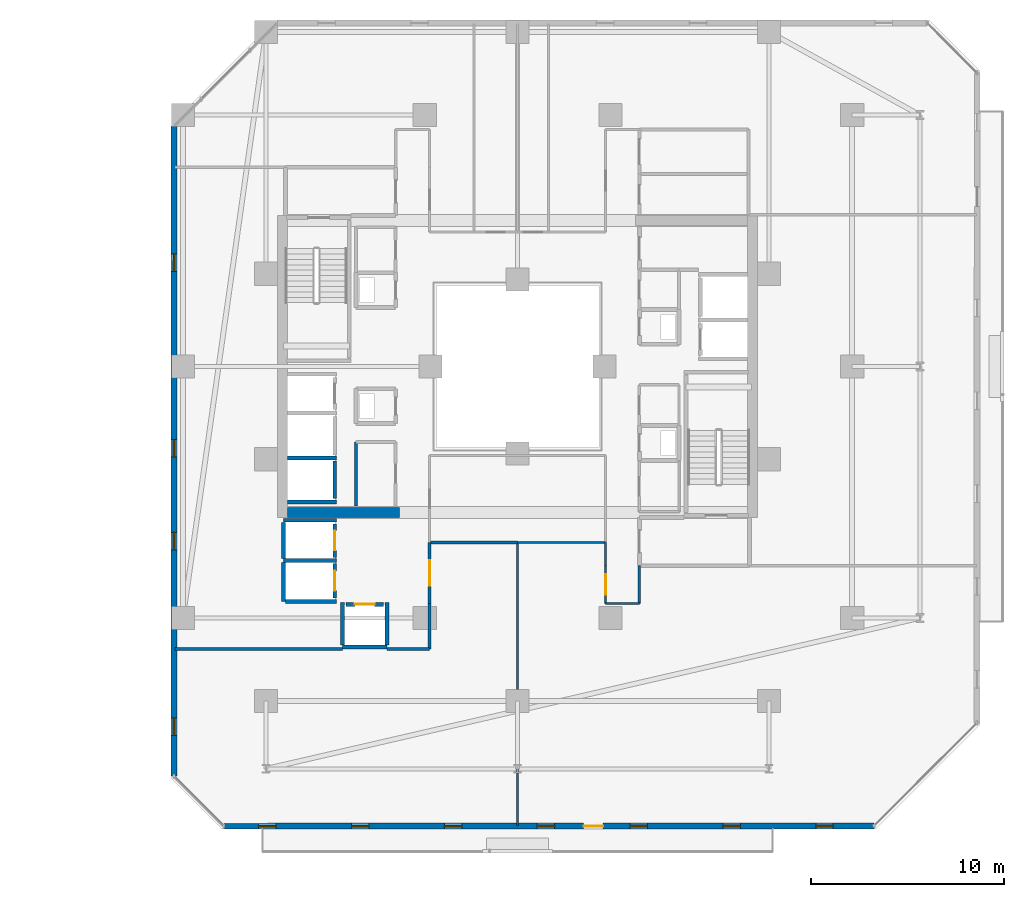
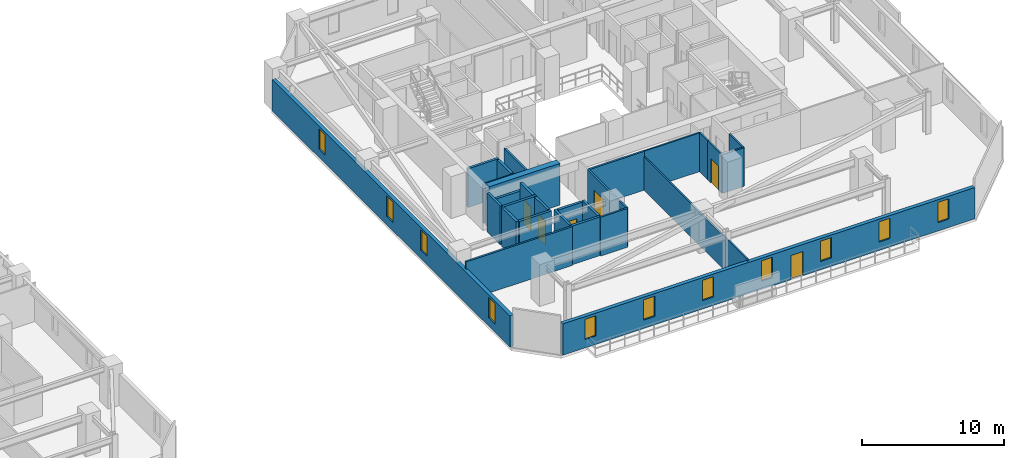
# One storey, part 22 of 33: 29 walls, 11 windows, 6 doors, 17 openings.
"""IFC4 building model written with IfcOpenShell, lengths in metres."""

from ifc_helpers import new_model, si_unit, direction, frame, frame_2d, origin, place, context, subcontext, project, spatial, rectangle, extrude, material, layer, layer_set, type_object, element, fill, save


model = new_model("IFC4")

# Units and contexts
model_context = context("Model", 3, precision=1e-05, world=origin(), true_north=direction((0.0, 1.0)))
body_context = subcontext(model_context, "Body", "Model", "MODEL_VIEW")
ifc_project = project(units=[si_unit("LENGTHUNIT", "METRE"), si_unit("AREAUNIT", "SQUARE_METRE"), si_unit("VOLUMEUNIT", "CUBIC_METRE"), si_unit("PLANEANGLEUNIT", "RADIAN"), si_unit("MASSUNIT", "GRAM", prefix="KILO")], contexts=[model_context])

# Site, building, storey
site_placement = place(None, origin())
site = spatial("IfcSite", under=ifc_project, at=site_placement, CompositionType="ELEMENT")
building_placement = place(site_placement, origin())
building = spatial("IfcBuilding", under=site, at=building_placement, Name="Thornwick Lancets Civic Towers", CompositionType="ELEMENT")
storey_placement = place(building_placement, frame((0.0, 0.0, 130.5)))
storey = spatial("IfcBuildingStorey", under=building, at=storey_placement, Name="L34", CompositionType="ELEMENT", Elevation=130.5)

# Wall
ifc_material_1 = material(Name="Concrete blockwork C40/50", Category="masonry")
ifc_layer_1 = layer(ifc_material_1, 0.199951171875, Name="Concrete blockwork C40/50")
ifc_layer_set_1 = layer_set([ifc_layer_1], Name="Concrete blockwork C40/50")
wall_type_1 = type_object("IfcWallType", Name="WALL_COMP_200", PredefinedType="STANDARD", material=ifc_layer_set_1)
wall_1_placement = place(storey_placement, frame((79.050048828125, 20.179931640625, 0.0), z_axis=(0.0, 0.0, 1.0), x_axis=(0.0, 1.0, 0.0)))
element("IfcWall", 1, at=wall_1_placement, inside=storey, type_object=wall_type_1, Name="L34 Hoistway Front Wall PL-BH3", PredefinedType="STANDARD", context=body_context, shape_type="SweptSolid", body=[
    extrude(rectangle(XDim=1.940185546875, YDim=0.199951171875, at=frame_2d((0.97021484375, 0.0))), origin(), (0.0, 0.0, 1.0), 3.340087890625),
])

# Wall, opening, door
wall_2_placement = place(storey_placement, frame((79.050048828125, 17.1298828125, 0.0), z_axis=(0.0, 0.0, 1.0), x_axis=(0.0, 1.0, 0.0)))
wall_2 = element("IfcWall", 2, at=wall_2_placement, inside=storey, type_object=wall_type_1, Name="L34 Hoistway Front Wall PL-BM1", PredefinedType="STANDARD", context=body_context, shape_type="SweptSolid", body=[
    extrude(rectangle(XDim=1.740234375, YDim=0.199951171875, at=frame_2d((0.8701171875, 0.0))), origin(), (0.0, 0.0, 1.0), 3.340087890625),
])
opening_1_placement = place(wall_2_placement, frame((0.360107421875, 0.0, 0.0)))
opening_1 = element("IfcOpeningElement", 3, at=opening_1_placement, cuts=wall_2, Name="Opening LD-PL-BM1", PredefinedType="OPENING", context=body_context, shape_type="SweptSolid", body=[
    extrude(rectangle(XDim=1.02001953125, YDim=2.06005859375, at=frame_2d((0.510009765625, 1.030029296875))), frame((0.0, 0.10986328125, 0.0), z_axis=(0.0, -1.0, 0.0), x_axis=(1.0, 0.0, 0.0)), (0.0, 0.0, 1.0), 0.219970703125),
])
ifc_material_2 = material(Name="Brushed bronze stainless steel", Category="steel")
door_type_1 = type_object("IfcDoorType", Name="DOOR_LIFT_SLIDE", OperationType="SLIDING_TO_LEFT", PredefinedType="DOOR", material=ifc_material_2)
door_1_placement = place(opening_1_placement, origin())
door_1 = element("IfcDoor", 4, at=door_1_placement, inside=storey, type_object=door_type_1, Name="L34 Sliding Lift Landing Door LD-PL-BM1", OperationType="SLIDING_TO_LEFT", OverallHeight=2.06005859375, OverallWidth=1.02001953125, PredefinedType="DOOR", context=body_context, shape_type="SweptSolid", body=[
    extrude(rectangle(XDim=1.02001953125, YDim=2.06005859375, at=frame_2d((0.510009765625, 1.030029296875))), frame((0.0, 0.02490234375, 0.0), z_axis=(0.0, -1.0, 0.0), x_axis=(1.0, 0.0, 0.0)), (0.0, 0.0, 1.0), 0.050048828125),
])
fill(opening_1, door_1)

wall_3_placement = place(storey_placement, frame((79.050048828125, 15.030029296875, 0.0), z_axis=(0.0, 0.0, 1.0), x_axis=(0.0, 1.0, 0.0)))
wall_3 = element("IfcWall", 5, at=wall_3_placement, inside=storey, type_object=wall_type_1, Name="L34 Hoistway Front Wall PL-BM2", PredefinedType="STANDARD", context=body_context, shape_type="SweptSolid", body=[
    extrude(rectangle(XDim=1.7900390625, YDim=0.199951171875, at=frame_2d((0.89501953125, 0.0))), origin(), (0.0, 0.0, 1.0), 3.340087890625),
])
opening_2_placement = place(wall_3_placement, frame((0.385009765625, 0.0, 0.0)))
opening_2 = element("IfcOpeningElement", 6, at=opening_2_placement, cuts=wall_3, Name="Opening LD-PL-BM2", PredefinedType="OPENING", context=body_context, shape_type="SweptSolid", body=[
    extrude(rectangle(XDim=1.02001953125, YDim=2.06005859375, at=frame_2d((0.510009765625, 1.030029296875))), frame((0.0, 0.10986328125, 0.0), z_axis=(0.0, -1.0, 0.0), x_axis=(1.0, 0.0, 0.0)), (0.0, 0.0, 1.0), 0.219970703125),
])
door_2_placement = place(opening_2_placement, origin())
door_2 = element("IfcDoor", 7, at=door_2_placement, inside=storey, type_object=door_type_1, Name="L34 Sliding Lift Landing Door LD-PL-BM2", OperationType="SLIDING_TO_LEFT", OverallHeight=2.06005859375, OverallWidth=1.02001953125, PredefinedType="DOOR", context=body_context, shape_type="SweptSolid", body=[
    extrude(rectangle(XDim=1.02001953125, YDim=2.06005859375, at=frame_2d((0.510009765625, 1.030029296875))), frame((0.0, 0.02490234375, 0.0), z_axis=(0.0, -1.0, 0.0), x_axis=(1.0, 0.0, 0.0)), (0.0, 0.0, 1.0), 0.050048828125),
])
fill(opening_2, door_2)

wall_4_placement = place(storey_placement, frame((79.6298828125, 14.699951171875, 0.0), z_axis=(0.0, 0.0, 1.0), x_axis=(1.0, 0.0, 0.0)))
wall_4 = element("IfcWall", 8, at=wall_4_placement, inside=storey, type_object=wall_type_1, Name="L34 Hoistway Front Wall PL-BM3", PredefinedType="STANDARD", context=body_context, shape_type="SweptSolid", body=[
    extrude(rectangle(XDim=1.940185546875, YDim=0.199951171875, at=frame_2d((0.97021484375, 0.0))), origin(), (0.0, 0.0, 1.0), 3.340087890625),
])
opening_3_placement = place(wall_4_placement, frame((0.4599609375, 0.0, 0.0)))
opening_3 = element("IfcOpeningElement", 9, at=opening_3_placement, cuts=wall_4, Name="Opening LD-PL-BM3", PredefinedType="OPENING", context=body_context, shape_type="SweptSolid", body=[
    extrude(rectangle(XDim=1.02001953125, YDim=2.06005859375, at=frame_2d((0.510009765625, 1.030029296875))), frame((0.0, 0.10986328125, 0.0), z_axis=(0.0, -1.0, 0.0), x_axis=(1.0, 0.0, 0.0)), (0.0, 0.0, 1.0), 0.219970703125),
])
door_3_placement = place(opening_3_placement, origin())
door_3 = element("IfcDoor", 10, at=door_3_placement, inside=storey, type_object=door_type_1, Name="L34 Sliding Lift Landing Door LD-PL-BM3", OperationType="SLIDING_TO_LEFT", OverallHeight=2.06005859375, OverallWidth=1.02001953125, PredefinedType="DOOR", context=body_context, shape_type="SweptSolid", body=[
    extrude(rectangle(XDim=1.02001953125, YDim=2.06005859375, at=frame_2d((0.510009765625, 1.030029296875))), frame((0.0, 0.02490234375, 0.0), z_axis=(0.0, -1.0, 0.0), x_axis=(1.0, 0.0, 0.0)), (0.0, 0.0, 1.0), 0.050048828125),
])
fill(opening_3, door_3)

# Walls
for number, where, z_axis, x_axis, name in (
    (11, (76.612060546875, 22.27490234375, 0.0), (0.0, 0.0, 1.0), (1.0, 0.0, 0.0), "L34 Hoistway Shaft Wall PL-BH2 S"),
    (12, (76.612060546875, 20.0, 0.0), (0.0, 0.0, 1.0), (1.0, 0.0, 0.0), "L34 Hoistway Shaft Wall PL-BH3 S"),
):
    element("IfcWall", number, at=place(storey_placement, frame(where, z_axis=z_axis, x_axis=x_axis)), inside=storey, type_object=wall_type_1, Name=name, PredefinedType="STANDARD", context=body_context, shape_type="SweptSolid", body=[
        extrude(rectangle(XDim=2.535888671875, YDim=0.199951171875, at=frame_2d((1.26806640625, 0.0))), origin(), (0.0, 0.0, 1.0), 3.340087890625),
    ])
wall_5_placement = place(storey_placement, frame((76.402099609375, 19.050048828125, 0.0), z_axis=(0.0, 0.0, 1.0), x_axis=(1.0, 0.0, 0.0)))
element("IfcWall", 13, at=wall_5_placement, inside=storey, type_object=wall_type_1, Name="L34 Hoistway Shaft Wall PL-BM1 N", PredefinedType="STANDARD", context=body_context, shape_type="SweptSolid", body=[
    extrude(rectangle(XDim=2.745849609375, YDim=0.199951171875, at=frame_2d((1.373046875, 0.0))), origin(), (0.0, 0.0, 1.0), 2.544921875),
])
wall_6_placement = place(storey_placement, frame((76.402099609375, 16.97509765625, 0.0), z_axis=(0.0, 0.0, 1.0), x_axis=(1.0, 0.0, 0.0)))
element("IfcWall", 14, at=wall_6_placement, inside=storey, type_object=wall_type_1, Name="L34 Hoistway Shaft Wall PL-BM1 S", PredefinedType="STANDARD", context=body_context, shape_type="SweptSolid", body=[
    extrude(rectangle(XDim=2.745849609375, YDim=0.199951171875, at=frame_2d((1.373046875, 0.0))), origin(), (0.0, 0.0, 1.0), 3.340087890625),
])
wall_7_placement = place(storey_placement, frame((76.39990234375, 14.85205078125, 0.0), z_axis=(0.0, 0.0, 1.0), x_axis=(0.0, 1.0, 0.0)))
element("IfcWall", 15, at=wall_7_placement, inside=storey, type_object=wall_type_1, Name="L34 Hoistway Shaft Wall PL-BM1 W", PredefinedType="STANDARD", context=body_context, shape_type="SweptSolid", body=[
    extrude(rectangle(XDim=2.015869140625, YDim=0.199951171875, at=frame_2d((1.0078125, 0.0))), origin(), (0.0, 0.0, 1.0), 3.340087890625),
])
wall_8_placement = place(storey_placement, frame((76.39990234375, 17.08203125, 0.0), z_axis=(0.0, 0.0, 1.0), x_axis=(0.0, 1.0, 0.0)))
element("IfcWall", 16, at=wall_8_placement, inside=storey, type_object=wall_type_1, Name="L34 Hoistway Shaft Wall PL-BM1 W", PredefinedType="STANDARD", context=body_context, shape_type="SweptSolid", body=[
    extrude(rectangle(XDim=1.85595703125, YDim=0.199951171875, at=frame_2d((0.927978515625, 0.0))), origin(), (0.0, 0.0, 1.0), 3.340087890625),
])
wall_9_placement = place(storey_placement, frame((76.511962890625, 14.85009765625, 0.0), z_axis=(0.0, 0.0, 1.0), x_axis=(1.0, 0.0, 0.0)))
element("IfcWall", 17, at=wall_9_placement, inside=storey, type_object=wall_type_1, Name="L34 Hoistway Shaft Wall PL-BM2 S", PredefinedType="STANDARD", context=body_context, shape_type="SweptSolid", body=[
    extrude(rectangle(XDim=2.635986328125, YDim=0.199951171875, at=frame_2d((1.31787109375, 0.0))), origin(), (0.0, 0.0, 1.0), 3.340087890625),
])
wall_10_placement = place(storey_placement, frame((79.451904296875, 12.5, 0.0), z_axis=(0.0, 0.0, 1.0), x_axis=(1.0, 0.0, 0.0)))
element("IfcWall", 18, at=wall_10_placement, inside=storey, type_object=wall_type_1, Name="L34 Hoistway Shaft Wall PL-BM3 S", PredefinedType="STANDARD", context=body_context, shape_type="SweptSolid", body=[
    extrude(rectangle(XDim=2.296142578125, YDim=0.199951171875, at=frame_2d((1.14794921875, 0.0))), origin(), (0.0, 0.0, 1.0), 3.340087890625),
])
for number, where, z_axis, x_axis, name in (
    (19, (81.75, 12.612060546875, 0.0), (0.0, 0.0, 1.0), (0.0, 1.0, 0.0), "L34 Hoistway Shaft Wall PL-BM3 E"),
    (20, (79.449951171875, 12.612060546875, 0.0), (0.0, 0.0, 1.0), (0.0, 1.0, 0.0), "L34 Hoistway Shaft Wall PL-BM3 W"),
):
    element("IfcWall", number, at=place(storey_placement, frame(where, z_axis=z_axis, x_axis=x_axis)), inside=storey, type_object=wall_type_1, Name=name, PredefinedType="STANDARD", context=body_context, shape_type="SweptSolid", body=[
        extrude(rectangle(XDim=2.18603515625, YDim=0.199951171875, at=frame_2d((1.093017578125, 0.0))), origin(), (0.0, 0.0, 1.0), 3.340087890625),
    ])
ifc_material_3 = material(Name="Concrete C50/60", Category="concrete")
ifc_layer_2 = layer(ifc_material_3, 0.5, Name="Concrete C50/60")
ifc_layer_set_2 = layer_set([ifc_layer_2], Name="Concrete C50/60")
wall_type_2 = type_object("IfcWallType", Name="WALL_CORE_500", PredefinedType="SHEAR", material=ifc_layer_set_2)
wall_11_placement = place(storey_placement, frame((76.60009765625, 19.449951171875, 0.0), z_axis=(0.0, 0.0, 1.0), x_axis=(1.0, 0.0, 0.0)))
element("IfcWall", 21, at=wall_11_placement, inside=storey, type_object=wall_type_2, Name="L34 Split Core B2 Shear Wall S", PredefinedType="SHEAR", context=body_context, shape_type="SweptSolid", body=[
    extrude(rectangle(XDim=5.7998046875, YDim=0.5, at=frame_2d((2.89990234375, 0.0))), origin(), (0.0, 0.0, 1.0), 3.60009765625),
])

# Wall, openings, door, windows
ifc_material_4 = material(Name="Insulated russet terracotta rainscreen on concrete C40/50", Category="masonry")
ifc_layer_3 = layer(ifc_material_4, 0.300048828125, Name="Insulated russet terracotta rainscreen on concrete C40/50")
ifc_layer_set_3 = layer_set([ifc_layer_3], Name="Insulated russet terracotta rainscreen on concrete C40/50")
wall_type_3 = type_object("IfcWallType", Name="WALL_EXT_RUSSET_300", PredefinedType="STANDARD", material=ifc_layer_set_3)
wall_12_placement = place(storey_placement, frame((73.318603515625, 3.2353515625, 0.0), z_axis=(0.0, 0.0, 1.0), x_axis=(0.999999963872, 0.000268805477, 0.0)))
wall_12 = element("IfcWall", 22, at=wall_12_placement, inside=storey, type_object=wall_type_3, Name="L34 Tower B Terracotta Facade Wall E0", PredefinedType="STANDARD", context=body_context, shape_type="SweptSolid", body=[
    extrude(rectangle(XDim=33.60498046875, YDim=0.300048828125, at=frame_2d((16.802490234375, 0.0))), origin(), (0.0, 0.0, 1.0), 2.699951171875),
])
opening_4_placement = place(wall_12_placement, frame((18.6025390625, 0.0, 0.0)))
opening_4 = element("IfcOpeningElement", 23, at=opening_4_placement, cuts=wall_12, Name="Opening D-BL-L34-BS", PredefinedType="OPENING", context=body_context, shape_type="SweptSolid", body=[
    extrude(rectangle(XDim=1.0, YDim=2.080078125, at=frame_2d((0.5, 1.0400390625))), frame((0.0, 0.16015625, 0.0), z_axis=(0.0, -1.0, 0.0), x_axis=(1.0, 0.0, 0.0)), (0.0, 0.0, 1.0), 0.320068359375),
])
opening_5_placement = place(wall_12_placement, frame((1.800048828125, 0.0, 0.719970703125)))
opening_5 = element("IfcOpeningElement", 24, at=opening_5_placement, cuts=wall_12, Name="Opening WL-01", PredefinedType="OPENING", context=body_context, shape_type="SweptSolid", body=[
    extrude(rectangle(XDim=0.89990234375, YDim=1.75, at=frame_2d((0.449951171875, 0.875))), frame((0.0, 0.16015625, 0.0), z_axis=(0.0, -1.0, 0.0), x_axis=(1.0, 0.0, 0.0)), (0.0, 0.0, 1.0), 0.320068359375),
])
opening_6_placement = place(wall_12_placement, frame((6.60009765625, 0.0, 0.719970703125)))
opening_6 = element("IfcOpeningElement", 25, at=opening_6_placement, cuts=wall_12, Name="Opening WL-01", PredefinedType="OPENING", context=body_context, shape_type="SweptSolid", body=[
    extrude(rectangle(XDim=0.89990234375, YDim=1.75, at=frame_2d((0.449951171875, 0.875))), frame((0.0, 0.16015625, 0.0), z_axis=(0.0, -1.0, 0.0), x_axis=(1.0, 0.0, 0.0)), (0.0, 0.0, 1.0), 0.320068359375),
])
opening_7_placement = place(wall_12_placement, frame((11.39990234375, 0.0, 0.719970703125)))
opening_7 = element("IfcOpeningElement", 26, at=opening_7_placement, cuts=wall_12, Name="Opening WL-01", PredefinedType="OPENING", context=body_context, shape_type="SweptSolid", body=[
    extrude(rectangle(XDim=0.89990234375, YDim=1.75, at=frame_2d((0.449951171875, 0.875))), frame((0.0, 0.16015625, 0.0), z_axis=(0.0, -1.0, 0.0), x_axis=(1.0, 0.0, 0.0)), (0.0, 0.0, 1.0), 0.320068359375),
])
opening_8_placement = place(wall_12_placement, frame((16.199951171875, 0.0, 0.719970703125)))
opening_8 = element("IfcOpeningElement", 27, at=opening_8_placement, cuts=wall_12, Name="Opening WL-01", PredefinedType="OPENING", context=body_context, shape_type="SweptSolid", body=[
    extrude(rectangle(XDim=0.89990234375, YDim=1.75, at=frame_2d((0.449951171875, 0.875))), frame((0.0, 0.16015625, 0.0), z_axis=(0.0, -1.0, 0.0), x_axis=(1.0, 0.0, 0.0)), (0.0, 0.0, 1.0), 0.320068359375),
])
opening_9_placement = place(wall_12_placement, frame((21.0, 0.0, 0.719970703125)))
opening_9 = element("IfcOpeningElement", 28, at=opening_9_placement, cuts=wall_12, Name="Opening WL-01", PredefinedType="OPENING", context=body_context, shape_type="SweptSolid", body=[
    extrude(rectangle(XDim=0.89990234375, YDim=1.75, at=frame_2d((0.449951171875, 0.875))), frame((0.0, 0.16015625, 0.0), z_axis=(0.0, -1.0, 0.0), x_axis=(1.0, 0.0, 0.0)), (0.0, 0.0, 1.0), 0.320068359375),
])
opening_10_placement = place(wall_12_placement, frame((25.800048828125, 0.0, 0.719970703125)))
opening_10 = element("IfcOpeningElement", 29, at=opening_10_placement, cuts=wall_12, Name="Opening WL-01", PredefinedType="OPENING", context=body_context, shape_type="SweptSolid", body=[
    extrude(rectangle(XDim=0.89990234375, YDim=1.75, at=frame_2d((0.449951171875, 0.875))), frame((0.0, 0.16015625, 0.0), z_axis=(0.0, -1.0, 0.0), x_axis=(1.0, 0.0, 0.0)), (0.0, 0.0, 1.0), 0.320068359375),
])
opening_11_placement = place(wall_12_placement, frame((30.60009765625, 0.0, 0.719970703125)))
opening_11 = element("IfcOpeningElement", 30, at=opening_11_placement, cuts=wall_12, Name="Opening WL-01", PredefinedType="OPENING", context=body_context, shape_type="SweptSolid", body=[
    extrude(rectangle(XDim=0.89990234375, YDim=1.75, at=frame_2d((0.449951171875, 0.875))), frame((0.0, 0.16015625, 0.0), z_axis=(0.0, -1.0, 0.0), x_axis=(1.0, 0.0, 0.0)), (0.0, 0.0, 1.0), 0.320068359375),
])
ifc_material_5 = material(Name="Thermally broken glazed loggia doorset")
door_type_2 = type_object("IfcDoorType", Name="DOOR_BALC_1000", OperationType="NOTDEFINED", PredefinedType="DOOR", material=ifc_material_5)
door_4_placement = place(opening_4_placement, origin())
door_4 = element("IfcDoor", 31, at=door_4_placement, inside=storey, type_object=door_type_2, Name="L34 Tower B Loggia Balcony Door S", OperationType="SINGLE_SWING_LEFT", OverallHeight=2.080078125, OverallWidth=1.0, PredefinedType="DOOR", context=body_context, shape_type="SweptSolid", body=[
    extrude(rectangle(XDim=1.0, YDim=2.080078125, at=frame_2d((0.5, 1.0400390625))), frame((0.0, 0.02490234375, 0.0), z_axis=(0.0, -1.0, 0.0), x_axis=(1.0, 0.0, 0.0)), (0.0, 0.0, 1.0), 0.050048828125),
])
fill(opening_4, door_4)
ifc_material_6 = material(Name="Clear low-e double glazing in bronze frame", Category="glass")
window_type = type_object("IfcWindowType", Name="WIN_LANCET_900", PartitioningType="SINGLE_PANEL", PredefinedType="WINDOW", material=ifc_material_6)
window_1_placement = place(opening_5_placement, origin())
window_1 = element("IfcWindow", 32, at=window_1_placement, inside=storey, type_object=window_type, Name="L34 Tower B Staggered Lancet Window E0-1", OverallHeight=1.75, OverallWidth=0.89990234375, PartitioningType="SINGLE_PANEL", PredefinedType="WINDOW", context=body_context, shape_type="SweptSolid", body=[
    extrude(rectangle(XDim=0.89990234375, YDim=1.75, at=frame_2d((0.449951171875, 0.875))), frame((0.0, 0.030029296875, 0.0), z_axis=(0.0, -1.0, 0.0), x_axis=(1.0, 0.0, 0.0)), (0.0, 0.0, 1.0), 0.06005859375),
])
fill(opening_5, window_1)
window_2_placement = place(opening_6_placement, origin())
window_2 = element("IfcWindow", 33, at=window_2_placement, inside=storey, type_object=window_type, Name="L34 Tower B Staggered Lancet Window E0-2", OverallHeight=1.75, OverallWidth=0.89990234375, PartitioningType="SINGLE_PANEL", PredefinedType="WINDOW", context=body_context, shape_type="SweptSolid", body=[
    extrude(rectangle(XDim=0.89990234375, YDim=1.75, at=frame_2d((0.449951171875, 0.875))), frame((0.0, 0.030029296875, 0.0), z_axis=(0.0, -1.0, 0.0), x_axis=(1.0, 0.0, 0.0)), (0.0, 0.0, 1.0), 0.06005859375),
])
fill(opening_6, window_2)
window_3_placement = place(opening_7_placement, origin())
window_3 = element("IfcWindow", 34, at=window_3_placement, inside=storey, type_object=window_type, Name="L34 Tower B Staggered Lancet Window E0-3", OverallHeight=1.75, OverallWidth=0.89990234375, PartitioningType="SINGLE_PANEL", PredefinedType="WINDOW", context=body_context, shape_type="SweptSolid", body=[
    extrude(rectangle(XDim=0.89990234375, YDim=1.75, at=frame_2d((0.449951171875, 0.875))), frame((0.0, 0.030029296875, 0.0), z_axis=(0.0, -1.0, 0.0), x_axis=(1.0, 0.0, 0.0)), (0.0, 0.0, 1.0), 0.06005859375),
])
fill(opening_7, window_3)
window_4_placement = place(opening_8_placement, origin())
window_4 = element("IfcWindow", 35, at=window_4_placement, inside=storey, type_object=window_type, Name="L34 Tower B Staggered Lancet Window E0-4", OverallHeight=1.75, OverallWidth=0.89990234375, PartitioningType="SINGLE_PANEL", PredefinedType="WINDOW", context=body_context, shape_type="SweptSolid", body=[
    extrude(rectangle(XDim=0.89990234375, YDim=1.75, at=frame_2d((0.449951171875, 0.875))), frame((0.0, 0.030029296875, 0.0), z_axis=(0.0, -1.0, 0.0), x_axis=(1.0, 0.0, 0.0)), (0.0, 0.0, 1.0), 0.06005859375),
])
fill(opening_8, window_4)
window_5_placement = place(opening_9_placement, origin())
window_5 = element("IfcWindow", 36, at=window_5_placement, inside=storey, type_object=window_type, Name="L34 Tower B Staggered Lancet Window E0-5", OverallHeight=1.75, OverallWidth=0.89990234375, PartitioningType="SINGLE_PANEL", PredefinedType="WINDOW", context=body_context, shape_type="SweptSolid", body=[
    extrude(rectangle(XDim=0.89990234375, YDim=1.75, at=frame_2d((0.449951171875, 0.875))), frame((0.0, 0.030029296875, 0.0), z_axis=(0.0, -1.0, 0.0), x_axis=(1.0, 0.0, 0.0)), (0.0, 0.0, 1.0), 0.06005859375),
])
fill(opening_9, window_5)
window_6_placement = place(opening_10_placement, origin())
window_6 = element("IfcWindow", 37, at=window_6_placement, inside=storey, type_object=window_type, Name="L34 Tower B Staggered Lancet Window E0-6", OverallHeight=1.75, OverallWidth=0.89990234375, PartitioningType="SINGLE_PANEL", PredefinedType="WINDOW", context=body_context, shape_type="SweptSolid", body=[
    extrude(rectangle(XDim=0.89990234375, YDim=1.75, at=frame_2d((0.449951171875, 0.875))), frame((0.0, 0.030029296875, 0.0), z_axis=(0.0, -1.0, 0.0), x_axis=(1.0, 0.0, 0.0)), (0.0, 0.0, 1.0), 0.06005859375),
])
fill(opening_10, window_6)
window_7_placement = place(opening_11_placement, origin())
window_7 = element("IfcWindow", 38, at=window_7_placement, inside=storey, type_object=window_type, Name="L34 Tower B Staggered Lancet Window E0-7", OverallHeight=1.75, OverallWidth=0.89990234375, PartitioningType="SINGLE_PANEL", PredefinedType="WINDOW", context=body_context, shape_type="SweptSolid", body=[
    extrude(rectangle(XDim=0.89990234375, YDim=1.75, at=frame_2d((0.449951171875, 0.875))), frame((0.0, 0.030029296875, 0.0), z_axis=(0.0, -1.0, 0.0), x_axis=(1.0, 0.0, 0.0)), (0.0, 0.0, 1.0), 0.06005859375),
])
fill(opening_11, window_7)

# Wall, openings, windows
wall_13_placement = place(storey_placement, frame((70.744384765625, 39.423583984375, 0.0), z_axis=(0.0, 0.0, 1.0), x_axis=(-0.000268805477, -0.999999963872, 0.0)))
wall_13 = element("IfcWall", 39, at=wall_13_placement, inside=storey, type_object=wall_type_3, Name="L34 Tower B Terracotta Facade Wall E6", PredefinedType="STANDARD", context=body_context, shape_type="SweptSolid", body=[
    extrude(rectangle(XDim=33.60498046875, YDim=0.300048828125, at=frame_2d((16.802490234375, 0.0))), origin(), (0.0, 0.0, 1.0), 2.699951171875),
])
opening_12_placement = place(wall_13_placement, frame((6.60009765625, 0.0, 0.719970703125)))
opening_12 = element("IfcOpeningElement", 40, at=opening_12_placement, cuts=wall_13, Name="Opening WL-01", PredefinedType="OPENING", context=body_context, shape_type="SweptSolid", body=[
    extrude(rectangle(XDim=0.89990234375, YDim=1.75, at=frame_2d((0.449951171875, 0.875))), frame((0.0, 0.16015625, 0.0), z_axis=(0.0, -1.0, 0.0), x_axis=(1.0, 0.0, 0.0)), (0.0, 0.0, 1.0), 0.320068359375),
])
opening_13_placement = place(wall_13_placement, frame((16.199951171875, 0.0, 0.719970703125)))
opening_13 = element("IfcOpeningElement", 41, at=opening_13_placement, cuts=wall_13, Name="Opening WL-01", PredefinedType="OPENING", context=body_context, shape_type="SweptSolid", body=[
    extrude(rectangle(XDim=0.89990234375, YDim=1.75, at=frame_2d((0.449951171875, 0.875))), frame((0.0, 0.16015625, 0.0), z_axis=(0.0, -1.0, 0.0), x_axis=(1.0, 0.0, 0.0)), (0.0, 0.0, 1.0), 0.320068359375),
])
opening_14_placement = place(wall_13_placement, frame((21.0, 0.0, 0.719970703125)))
opening_14 = element("IfcOpeningElement", 42, at=opening_14_placement, cuts=wall_13, Name="Opening WL-01", PredefinedType="OPENING", context=body_context, shape_type="SweptSolid", body=[
    extrude(rectangle(XDim=0.89990234375, YDim=1.75, at=frame_2d((0.449951171875, 0.875))), frame((0.0, 0.16015625, 0.0), z_axis=(0.0, -1.0, 0.0), x_axis=(1.0, 0.0, 0.0)), (0.0, 0.0, 1.0), 0.320068359375),
])
opening_15_placement = place(wall_13_placement, frame((30.60009765625, 0.0, 0.719970703125)))
opening_15 = element("IfcOpeningElement", 43, at=opening_15_placement, cuts=wall_13, Name="Opening WL-01", PredefinedType="OPENING", context=body_context, shape_type="SweptSolid", body=[
    extrude(rectangle(XDim=0.89990234375, YDim=1.75, at=frame_2d((0.449951171875, 0.875))), frame((0.0, 0.16015625, 0.0), z_axis=(0.0, -1.0, 0.0), x_axis=(1.0, 0.0, 0.0)), (0.0, 0.0, 1.0), 0.320068359375),
])
window_8_placement = place(opening_12_placement, origin())
window_8 = element("IfcWindow", 44, at=window_8_placement, inside=storey, type_object=window_type, Name="L34 Tower B Staggered Lancet Window E6-1", OverallHeight=1.75, OverallWidth=0.89990234375, PartitioningType="SINGLE_PANEL", PredefinedType="WINDOW", context=body_context, shape_type="SweptSolid", body=[
    extrude(rectangle(XDim=0.89990234375, YDim=1.75, at=frame_2d((0.449951171875, 0.875))), frame((0.0, 0.030029296875, 0.0), z_axis=(0.0, -1.0, 0.0), x_axis=(1.0, 0.0, 0.0)), (0.0, 0.0, 1.0), 0.06005859375),
])
fill(opening_12, window_8)
window_9_placement = place(opening_13_placement, origin())
window_9 = element("IfcWindow", 45, at=window_9_placement, inside=storey, type_object=window_type, Name="L34 Tower B Staggered Lancet Window E6-2", OverallHeight=1.75, OverallWidth=0.89990234375, PartitioningType="SINGLE_PANEL", PredefinedType="WINDOW", context=body_context, shape_type="SweptSolid", body=[
    extrude(rectangle(XDim=0.89990234375, YDim=1.75, at=frame_2d((0.449951171875, 0.875))), frame((0.0, 0.030029296875, 0.0), z_axis=(0.0, -1.0, 0.0), x_axis=(1.0, 0.0, 0.0)), (0.0, 0.0, 1.0), 0.06005859375),
])
fill(opening_13, window_9)
window_10_placement = place(opening_14_placement, origin())
window_10 = element("IfcWindow", 46, at=window_10_placement, inside=storey, type_object=window_type, Name="L34 Tower B Staggered Lancet Window E6-3", OverallHeight=1.75, OverallWidth=0.89990234375, PartitioningType="SINGLE_PANEL", PredefinedType="WINDOW", context=body_context, shape_type="SweptSolid", body=[
    extrude(rectangle(XDim=0.89990234375, YDim=1.75, at=frame_2d((0.449951171875, 0.875))), frame((0.0, 0.030029296875, 0.0), z_axis=(0.0, -1.0, 0.0), x_axis=(1.0, 0.0, 0.0)), (0.0, 0.0, 1.0), 0.06005859375),
])
fill(opening_14, window_10)
window_11_placement = place(opening_15_placement, origin())
window_11 = element("IfcWindow", 47, at=window_11_placement, inside=storey, type_object=window_type, Name="L34 Tower B Staggered Lancet Window E6-4", OverallHeight=1.75, OverallWidth=0.89990234375, PartitioningType="SINGLE_PANEL", PredefinedType="WINDOW", context=body_context, shape_type="SweptSolid", body=[
    extrude(rectangle(XDim=0.89990234375, YDim=1.75, at=frame_2d((0.449951171875, 0.875))), frame((0.0, 0.030029296875, 0.0), z_axis=(0.0, -1.0, 0.0), x_axis=(1.0, 0.0, 0.0)), (0.0, 0.0, 1.0), 0.06005859375),
])
fill(opening_15, window_11)

# Walls
ifc_material_7 = material(Name="Acoustic gypsum board partition")
ifc_layer_4 = layer(ifc_material_7, 0.1201171875, Name="Acoustic gypsum board partition")
ifc_layer_set_4 = layer_set([ifc_layer_4], Name="Acoustic gypsum board partition")
wall_type_4 = type_object("IfcWallType", Name="WALL_PART_120", PredefinedType="PARTITIONING", material=ifc_layer_set_4)
wall_14_placement = place(storey_placement, frame((88.5, 3.280029296875, 0.0), z_axis=(0.0, 0.0, 1.0), x_axis=(0.0, 1.0, 0.0)))
element("IfcWall", 48, at=wall_14_placement, inside=storey, type_object=wall_type_4, Name="L34 Partition L34-B-W1 E2", PredefinedType="PARTITIONING", context=body_context, shape_type="SweptSolid", body=[
    extrude(rectangle(XDim=14.619873046875, YDim=0.1201171875, at=frame_2d((7.31005859375, 0.0))), origin(), (0.0, 0.0, 1.0), 2.877685546875),
])
wall_15_placement = place(storey_placement, frame((88.5, 17.89990234375, 0.0), z_axis=(0.0, 0.0, 1.0), x_axis=(1.0, 0.0, 0.0)))
element("IfcWall", 49, at=wall_15_placement, inside=storey, type_object=wall_type_4, Name="L34 Partition L34-B-W1 E3", PredefinedType="PARTITIONING", context=body_context, shape_type="SweptSolid", body=[
    extrude(rectangle(XDim=4.550048828125, YDim=0.1201171875, at=frame_2d((2.27490234375, 0.0))), origin(), (0.0, 0.0, 1.0), 3.340087890625),
])
wall_16_placement = place(storey_placement, frame((93.050048828125, 17.89990234375, 0.0), z_axis=(0.0, 0.0, 1.0), x_axis=(0.0, -1.0, 0.0)))
element("IfcWall", 50, at=wall_16_placement, inside=storey, type_object=wall_type_4, Name="L34 Partition L34-B-W1 E4", PredefinedType="PARTITIONING", context=body_context, shape_type="SweptSolid", body=[
    extrude(rectangle(XDim=1.199951171875, YDim=0.1201171875, at=frame_2d((0.60009765625, 0.0))), origin(), (0.0, 0.0, 1.0), 3.340087890625),
])

# Wall, opening, door
wall_17_placement = place(storey_placement, frame((93.050048828125, 16.699951171875, 0.0), z_axis=(0.0, 0.0, 1.0), x_axis=(0.0, -1.0, 0.0)))
wall_17 = element("IfcWall", 51, at=wall_17_placement, inside=storey, type_object=wall_type_4, Name="L34 Partition L34-B-W1 E5", PredefinedType="PARTITIONING", context=body_context, shape_type="SweptSolid", body=[
    extrude(rectangle(XDim=1.949951171875, YDim=0.1201171875, at=frame_2d((0.97509765625, 0.0))), origin(), (0.0, 0.0, 1.0), 3.340087890625),
])
opening_16_placement = place(wall_17_placement, frame((0.449951171875, 0.0, 0.0)))
opening_16 = element("IfcOpeningElement", 52, at=opening_16_placement, cuts=wall_17, Name="Opening D-L34-1564", PredefinedType="OPENING", context=body_context, shape_type="SweptSolid", body=[
    extrude(rectangle(XDim=1.050048828125, YDim=2.10009765625, at=frame_2d((0.52490234375, 1.050048828125))), frame((0.0, 0.070068359375, 0.0), z_axis=(0.0, -1.0, 0.0), x_axis=(1.0, 0.0, 0.0)), (0.0, 0.0, 1.0), 0.14013671875),
])
ifc_material_8 = material(Name="Glazed European oak executive doorset")
door_type_3 = type_object("IfcDoorType", Name="DOOR_OFFICE_1050", OperationType="NOTDEFINED", PredefinedType="DOOR", material=ifc_material_8)
door_5_placement = place(opening_16_placement, origin())
door_5 = element("IfcDoor", 53, at=door_5_placement, inside=storey, type_object=door_type_3, Name="L34 Tower B Ministry Directorate Office W1 Door", OperationType="SINGLE_SWING_LEFT", OverallHeight=2.10009765625, OverallWidth=1.050048828125, PredefinedType="DOOR", context=body_context, shape_type="SweptSolid", body=[
    extrude(rectangle(XDim=1.050048828125, YDim=2.10009765625, at=frame_2d((0.52490234375, 1.050048828125))), frame((0.0, 0.02490234375, 0.0), z_axis=(0.0, -1.0, 0.0), x_axis=(1.0, 0.0, 0.0)), (0.0, 0.0, 1.0), 0.050048828125),
])
fill(opening_16, door_5)

# Walls
wall_18_placement = place(storey_placement, frame((93.050048828125, 14.75, 0.0), z_axis=(0.0, 0.0, 1.0), x_axis=(1.0, 0.0, 0.0)))
element("IfcWall", 54, at=wall_18_placement, inside=storey, type_object=wall_type_4, Name="L34 Partition L34-B-W1 E6", PredefinedType="PARTITIONING", context=body_context, shape_type="SweptSolid", body=[
    extrude(rectangle(XDim=1.75, YDim=0.1201171875, at=frame_2d((0.875, 0.0))), origin(), (0.0, 0.0, 1.0), 3.340087890625),
])
wall_19_placement = place(storey_placement, frame((94.800048828125, 14.75, 0.0), z_axis=(0.0, 0.0, 1.0), x_axis=(0.0, 1.0, 0.0)))
element("IfcWall", 55, at=wall_19_placement, inside=storey, type_object=wall_type_4, Name="L34 Partition L34-B-W1 E7", PredefinedType="PARTITIONING", context=body_context, shape_type="SweptSolid", body=[
    extrude(rectangle(XDim=1.949951171875, YDim=0.1201171875, at=frame_2d((0.97509765625, 0.0))), origin(), (0.0, 0.0, 1.0), 3.340087890625),
])
ifc_material_9 = material(Name="Twin-stud acoustic gypsum board")
ifc_layer_5 = layer(ifc_material_9, 0.14990234375, Name="Twin-stud acoustic gypsum board")
ifc_layer_set_5 = layer_set([ifc_layer_5], Name="Twin-stud acoustic gypsum board")
wall_type_5 = type_object("IfcWallType", Name="WALL_PART_150", PredefinedType="PARTITIONING", material=ifc_layer_set_5)
wall_20_placement = place(storey_placement, frame((80.14990234375, 23.10009765625, 0.0), z_axis=(0.0, 0.0, 1.0), x_axis=(0.0, -1.0, 0.0)))
element("IfcWall", 56, at=wall_20_placement, inside=storey, type_object=wall_type_5, Name="L34 Partition L34-B-MWC E4", PredefinedType="PARTITIONING", context=body_context, shape_type="SweptSolid", body=[
    extrude(rectangle(XDim=3.300048828125, YDim=0.14990234375, at=frame_2d((1.64990234375, 0.0))), origin(), (0.0, 0.0, 1.0), 3.340087890625),
])

# Wall, opening, door
wall_21_placement = place(storey_placement, frame((83.949951171875, 14.75, 0.0), z_axis=(0.0, 0.0, 1.0), x_axis=(0.0, 1.0, 0.0)))
wall_21 = element("IfcWall", 57, at=wall_21_placement, inside=storey, type_object=wall_type_5, Name="L34 Partition L34-B-W2 E1", PredefinedType="PARTITIONING", context=body_context, shape_type="SweptSolid", body=[
    extrude(rectangle(XDim=3.14990234375, YDim=0.14990234375, at=frame_2d((1.574951171875, 0.0))), origin(), (0.0, 0.0, 1.0), 3.340087890625),
])
opening_17_placement = place(wall_21_placement, frame((0.925048828125, 0.0, 0.0)))
opening_17 = element("IfcOpeningElement", 58, at=opening_17_placement, cuts=wall_21, Name="Opening D-L34-1565", PredefinedType="OPENING", context=body_context, shape_type="SweptSolid", body=[
    extrude(rectangle(XDim=1.300048828125, YDim=2.1201171875, at=frame_2d((0.64990234375, 1.06005859375))), frame((0.0, 0.0849609375, 0.0), z_axis=(0.0, -1.0, 0.0), x_axis=(1.0, 0.0, 0.0)), (0.0, 0.0, 1.0), 0.169921875),
])
ifc_material_10 = material(Name="Acoustic oak leaf-and-a-half doorset")
door_type_4 = type_object("IfcDoorType", Name="DOOR_MEET_1300", OperationType="DOUBLE_DOOR_SINGLE_SWING", PredefinedType="DOOR", material=ifc_material_10)
door_6_placement = place(opening_17_placement, origin())
door_6 = element("IfcDoor", 59, at=door_6_placement, inside=storey, type_object=door_type_4, Name="L34 Tower B Policy Briefing Room W2 Door", OperationType="DOUBLE_DOOR_SINGLE_SWING", OverallHeight=2.1201171875, OverallWidth=1.300048828125, PredefinedType="DOOR", context=body_context, shape_type="SweptSolid", body=[
    extrude(rectangle(XDim=1.300048828125, YDim=2.1201171875, at=frame_2d((0.64990234375, 1.06005859375))), frame((0.0, 0.02490234375, 0.0), z_axis=(0.0, -1.0, 0.0), x_axis=(1.0, 0.0, 0.0)), (0.0, 0.0, 1.0), 0.050048828125),
])
fill(opening_17, door_6)

# Walls
wall_22_placement = place(storey_placement, frame((83.949951171875, 17.89990234375, 0.0), z_axis=(0.0, 0.0, 1.0), x_axis=(1.0, 0.0, 0.0)))
element("IfcWall", 60, at=wall_22_placement, inside=storey, type_object=wall_type_5, Name="L34 Partition L34-B-W2 E2", PredefinedType="PARTITIONING", context=body_context, shape_type="SweptSolid", body=[
    extrude(rectangle(XDim=4.550048828125, YDim=0.14990234375, at=frame_2d((2.27490234375, 0.0))), origin(), (0.0, 0.0, 1.0), 3.340087890625),
])
wall_23_placement = place(storey_placement, frame((70.780029296875, 12.39990234375, 0.0), z_axis=(0.0, 0.0, 1.0), x_axis=(1.0, 0.0, 0.0)))
element("IfcWall", 61, at=wall_23_placement, inside=storey, type_object=wall_type_5, Name="L34 Partition L34-B-W2 E7", PredefinedType="PARTITIONING", context=body_context, shape_type="SweptSolid", body=[
    extrude(rectangle(XDim=8.671875, YDim=0.14990234375, at=frame_2d((4.3359375, 0.0))), origin(), (0.0, 0.0, 1.0), 3.340087890625),
])
wall_24_placement = place(storey_placement, frame((81.748046875, 12.39990234375, 0.0), z_axis=(0.0, 0.0, 1.0), x_axis=(1.0, 0.0, 0.0)))
element("IfcWall", 62, at=wall_24_placement, inside=storey, type_object=wall_type_5, Name="L34 Partition L34-B-W2 E7", PredefinedType="PARTITIONING", context=body_context, shape_type="SweptSolid", body=[
    extrude(rectangle(XDim=2.201904296875, YDim=0.14990234375, at=frame_2d((1.10107421875, 0.0))), origin(), (0.0, 0.0, 1.0), 3.340087890625),
])
wall_25_placement = place(storey_placement, frame((83.949951171875, 12.39990234375, 0.0), z_axis=(0.0, 0.0, 1.0), x_axis=(0.0, 1.0, 0.0)))
element("IfcWall", 63, at=wall_25_placement, inside=storey, type_object=wall_type_5, Name="L34 Partition L34-B-W2 E8", PredefinedType="PARTITIONING", context=body_context, shape_type="SweptSolid", body=[
    extrude(rectangle(XDim=2.35009765625, YDim=0.14990234375, at=frame_2d((1.175048828125, 0.0))), origin(), (0.0, 0.0, 1.0), 3.340087890625),
])

save(model, "model.ifc")
